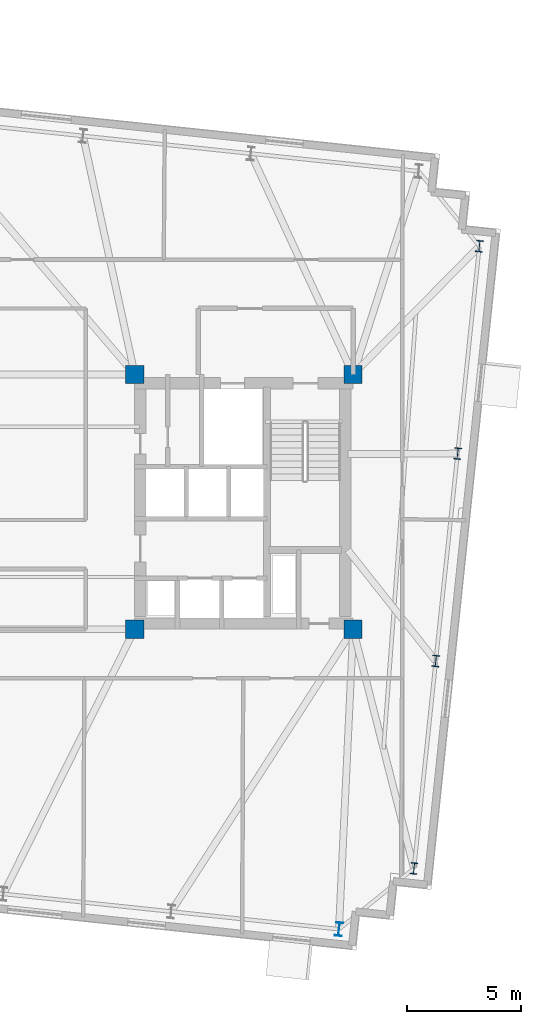
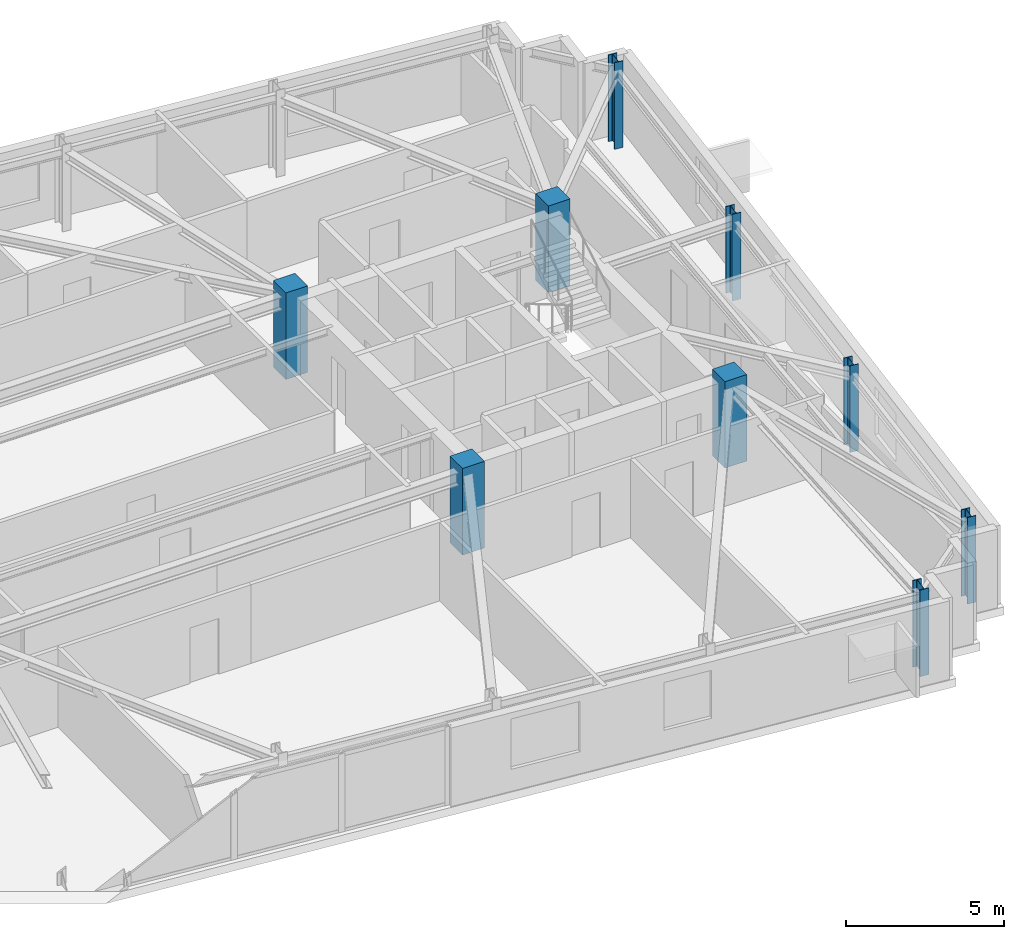
# One storey, part 2 of 13: 9 columns.
"""IFC4 building model written with IfcOpenShell, lengths in metres."""

from ifc_helpers import new_model, si_unit, direction, frame, origin, origin_2d, place, context, subcontext, project, spatial, rectangle, i_section, extrude, material, material_profile, profile_set, type_object, element, save


model = new_model("IFC4")

# Units and contexts
model_context = context("Model", 3, precision=1e-05, world=origin(), true_north=direction((0.0, 1.0)))
body_context = subcontext(model_context, "Body", "Model", "MODEL_VIEW")
ifc_project = project(units=[si_unit("LENGTHUNIT", "METRE"), si_unit("AREAUNIT", "SQUARE_METRE"), si_unit("VOLUMEUNIT", "CUBIC_METRE"), si_unit("PLANEANGLEUNIT", "RADIAN"), si_unit("MASSUNIT", "GRAM", prefix="KILO")], contexts=[model_context])

# Site, building, storey
site_placement = place(None, origin())
site = spatial("IfcSite", under=ifc_project, at=site_placement, CompositionType="ELEMENT")
building_placement = place(site_placement, origin())
building = spatial("IfcBuilding", under=site, at=building_placement, Name="Qobustan Lattice House", CompositionType="ELEMENT")
storey_placement = place(building_placement, frame((0.0, 0.0, 199.75)))
storey = spatial("IfcBuildingStorey", under=building, at=storey_placement, Name="L56", CompositionType="ELEMENT", Elevation=199.75)

# Columns
ifc_material_1 = material(Name="Concrete C50/60", Category="concrete")
ifc_material_profile_1 = material_profile(ifc_material_1, rectangle(XDim=0.800048828125, YDim=0.800048828125, at=origin_2d()), Name="RC800x800")
ifc_profile_set_1 = profile_set([ifc_material_profile_1], Name="Concrete C50/60")
column_type_1 = type_object("IfcColumnType", Name="COL-RC-800", PredefinedType="COLUMN", material=ifc_profile_set_1)
for number, where, z_axis, x_axis, name in (
    (1, (9.199951171875, -5.60009765625, 0.0), (0.0, 0.0, 1.0), (1.0, 0.0, 0.0), "L56 core mega-column CE-SW"),
    (2, (9.199951171875, 5.60009765625, 0.0), (0.0, 0.0, 1.0), (1.0, 0.0, 0.0), "L56 core mega-column CE-NW"),
    (3, (18.800048828125, -5.60009765625, 0.0), (0.0, 0.0, 1.0), (1.0, 0.0, 0.0), "L56 core mega-column CE-SE"),
    (4, (18.800048828125, 5.60009765625, 0.0), (0.0, 0.0, 1.0), (1.0, 0.0, 0.0), "L56 core mega-column CE-NE"),
):
    element("IfcColumn", number, at=place(storey_placement, frame(where, z_axis=z_axis, x_axis=x_axis)), inside=storey, type_object=column_type_1, Name=name, PredefinedType="COLUMN", context=body_context, shape_type="SweptSolid", body=[
        extrude(rectangle(XDim=0.800048828125, YDim=0.800048828125, at=origin_2d()), origin(), (0.0, 0.0, 1.0), 3.35009765625),
    ])
ifc_material_2 = material(Name="Steel S355", Category="steel")
ifc_material_profile_2 = material_profile(ifc_material_2, i_section(OverallWidth=0.300048828125, OverallDepth=0.5, WebThickness=0.014404296875, FlangeThickness=0.028076171875, FilletRadius=0.027099609375, at=origin_2d()), Name="HEB500")
ifc_profile_set_2 = profile_set([ifc_material_profile_2], Name="Steel S355")
column_type_2 = type_object("IfcColumnType", Name="COL-ST-HEB500", PredefinedType="COLUMN", material=ifc_profile_set_2)
for number, where, z_axis, x_axis, name in (
    (5, (21.474365234375, -16.114013671875, 0.0), (0.0, 0.0, 1.0), (0.994521895368, -0.104528463268, 0.0), "L56 B4 perimeter column E1"),
    (6, (22.4326171875, -6.99755859375, 0.0), (0.0, 0.0, 1.0), (0.994521895368, -0.104528463268, 0.0), "L56 B4 perimeter column E2"),
    (7, (23.390869140625, 2.118896484375, 0.0), (0.0, 0.0, 1.0), (0.994521895368, -0.104528463268, 0.0), "L56 B4 perimeter column E3"),
    (8, (24.348876953125, 11.2353515625, 0.0), (0.0, 0.0, 1.0), (0.994521895368, -0.104528463268, 0.0), "L56 B4 perimeter column E4"),
):
    element("IfcColumn", number, at=place(storey_placement, frame(where, z_axis=z_axis, x_axis=x_axis)), inside=storey, type_object=column_type_2, Name=name, PredefinedType="COLUMN", context=body_context, shape_type="SweptSolid", body=[
        extrude(i_section(OverallWidth=0.300048828125, OverallDepth=0.5, WebThickness=0.014404296875, FlangeThickness=0.028076171875, FilletRadius=0.027099609375, at=origin_2d()), origin(), (0.0, 0.0, 1.0), 3.35009765625),
    ])
ifc_material_3 = material(Name="Steel S355", Category="steel")
ifc_material_profile_3 = material_profile(ifc_material_3, i_section(OverallWidth=0.300048828125, OverallDepth=0.60009765625, WebThickness=0.015380859375, FlangeThickness=0.030029296875, FilletRadius=0.027099609375, at=origin_2d()), Name="HEB600")
ifc_profile_set_3 = profile_set([ifc_material_profile_3], Name="Steel S355")
column_type_3 = type_object("IfcColumnType", Name="COL-ST-HEB600", PredefinedType="COLUMN", material=ifc_profile_set_3)
column_placement = place(storey_placement, frame((18.17724609375, -18.783935546875, 0.0), z_axis=(0.0, 0.0, 1.0), x_axis=(0.994521895368, -0.104528463268, 0.0)))
element("IfcColumn", 9, at=column_placement, inside=storey, type_object=column_type_3, Name="L56 B4 perimeter column S7", PredefinedType="COLUMN", context=body_context, shape_type="SweptSolid", body=[
    extrude(i_section(OverallWidth=0.300048828125, OverallDepth=0.60009765625, WebThickness=0.015380859375, FlangeThickness=0.030029296875, FilletRadius=0.027099609375, at=origin_2d()), origin(), (0.0, 0.0, 1.0), 3.35009765625),
])

save(model, "model.ifc")
